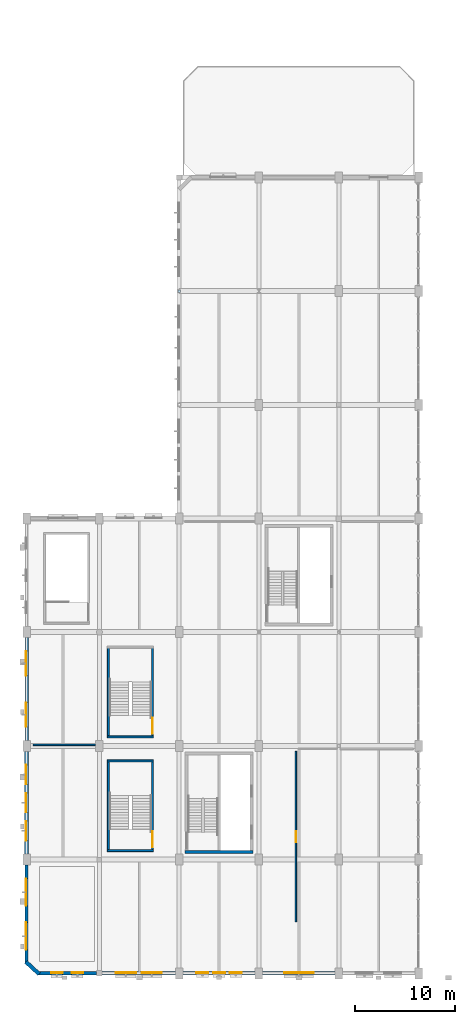
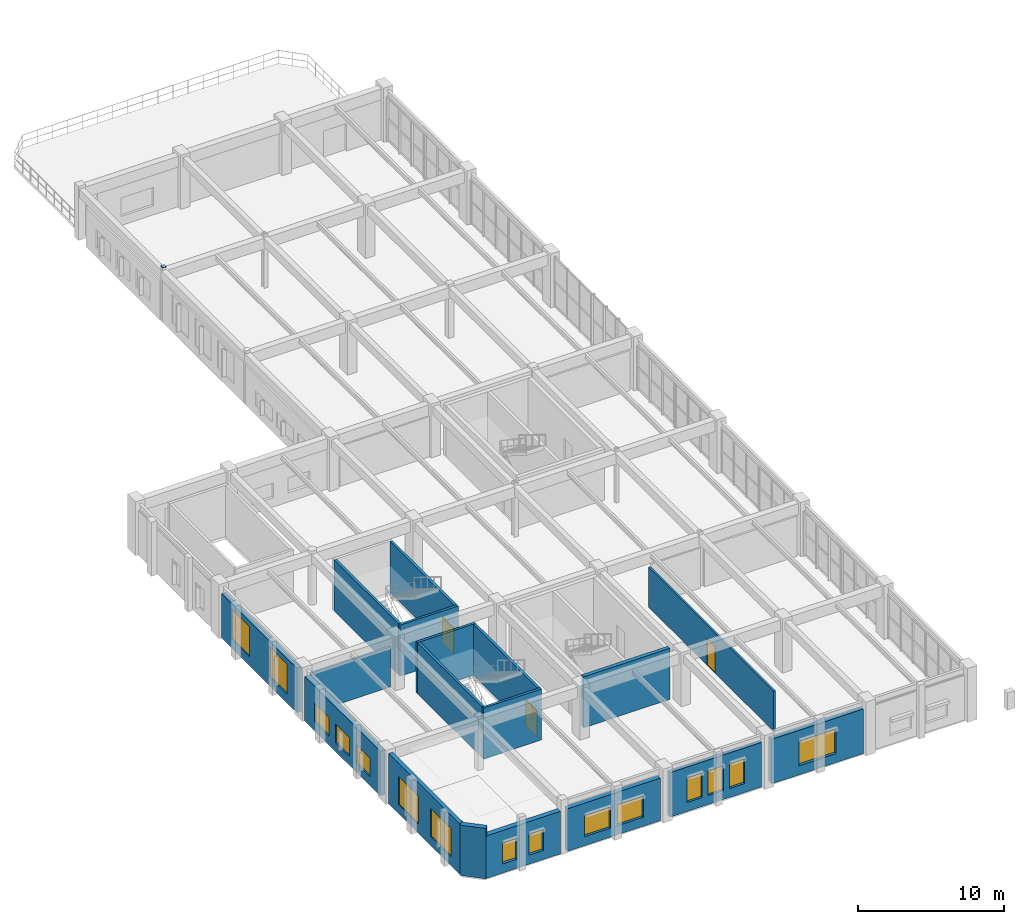
# One storey, part 64 of 80: 18 walls, 15 windows, 3 doors, 1 plate, 18 openings.
"""IFC4 building model written with IfcOpenShell, lengths in metres."""

from ifc_helpers import new_model, si_unit, direction, frame, frame_2d, origin, origin_2d, place, context, subcontext, project, spatial, rectangle, extrude, material, layer, layer_set, type_object, element, fill, save


model = new_model("IFC4")

# Units and contexts
model_context = context("Model", 3, precision=1e-05, world=origin(), true_north=direction((0.0, 1.0)))
body_context = subcontext(model_context, "Body", "Model", "MODEL_VIEW")
ifc_project = project(units=[si_unit("LENGTHUNIT", "METRE"), si_unit("AREAUNIT", "SQUARE_METRE"), si_unit("VOLUMEUNIT", "CUBIC_METRE"), si_unit("PLANEANGLEUNIT", "RADIAN"), si_unit("MASSUNIT", "GRAM", prefix="KILO"), si_unit("POWERUNIT", "WATT"), si_unit("THERMODYNAMICTEMPERATUREUNIT", "KELVIN")], contexts=[model_context])

# Site, building, storey
site_placement = place(None, origin())
site = spatial("IfcSite", under=ifc_project, at=site_placement, CompositionType="ELEMENT")
building_placement = place(site_placement, origin())
building = spatial("IfcBuilding", under=site, at=building_placement, Name="Kelmbourne Parkland Aquatics Centre", CompositionType="ELEMENT")
storey_placement = place(building_placement, frame((0.0, 0.0, 10.199951171875)))
storey = spatial("IfcBuildingStorey", under=building, at=storey_placement, Name="L02", CompositionType="ELEMENT", Elevation=10.199951171875)

# Plate
ifc_material_1 = material(Name="Welded plate steel AS/NZS 3678 Grade 350", Category="steel")
ifc_layer_1 = layer(ifc_material_1, 0.02001953125)
ifc_layer_set_1 = layer_set([ifc_layer_1], Name="Welded plate steel AS/NZS 3678 Grade 350")
plate_type = type_object("IfcPlateType", Name="PL-CAP-20", PredefinedType="USERDEFINED", material=ifc_layer_set_1)
plate_placement = place(storey_placement, frame((16.0, 69.199951171875, 4.4990234375), z_axis=(0.0, 0.0, 1.0), x_axis=(1.0, 0.0, 0.0)))
element("IfcPlate", 1, at=plate_placement, inside=storey, type_object=plate_type, Name="Hollow end cap plate CAP-0007", ObjectType="END CAP PLATE", PredefinedType="USERDEFINED", context=body_context, shape_type="SweptSolid", body=[
    extrude(rectangle(XDim=0.280029296875, YDim=0.280029296875, at=origin_2d()), origin(), (0.0, 0.0, 1.0), 0.02001953125),
])

# Wall
ifc_material_2 = material(Name="Concrete C40/50", Category="concrete")
ifc_layer_2 = layer(ifc_material_2, 0.300048828125)
ifc_layer_set_2 = layer_set([ifc_layer_2], Name="Concrete C40/50")
wall_type_1 = type_object("IfcWallType", Name="W-CORE-300", PredefinedType="SHEAR", material=ifc_layer_set_2)
wall_1_placement = place(storey_placement, frame((16.60009765625, 12.949951171875, 0.0), z_axis=(0.0, 0.0, 1.0), x_axis=(1.0, 0.0, 0.0)))
element("IfcWall", 2, at=wall_1_placement, inside=storey, type_object=wall_type_1, Name="West Wing South Fire-Fighting Core south wall (L02)", PredefinedType="SHEAR", context=body_context, shape_type="SweptSolid", body=[
    extrude(rectangle(XDim=6.7998046875, YDim=0.300048828125, at=frame_2d((3.39990234375, 0.0))), origin(), (0.0, 0.0, 1.0), 4.260009765625),
])

# Wall, openings, windows
ifc_material_3 = material(Name="Russet clinker clay brickwork", Category="masonry")
ifc_layer_3 = layer(ifc_material_3, 0.31005859375)
ifc_layer_set_3 = layer_set([ifc_layer_3], Name="Russet clinker clay brickwork")
wall_type_2 = type_object("IfcWallType", Name="W-EXT-310", PredefinedType="STANDARD", material=ifc_layer_set_3)
wall_2_placement = place(storey_placement, frame((0.699951171875, 1.800048828125, 0.0), z_axis=(0.0, 0.0, 1.0), x_axis=(0.0, 1.0, 0.0)))
wall_2 = element("IfcWall", 3, at=wall_2_placement, inside=storey, type_object=wall_type_2, Name="Exterior polychrome brick wall EW-L02-092", PredefinedType="STANDARD", context=body_context, shape_type="SweptSolid", body=[
    extrude(rectangle(XDim=9.847900390625, YDim=0.31005859375, at=frame_2d((4.923828125, 0.0))), origin(), (0.0, 0.0, 1.0), 4.199951171875),
])
opening_1_placement = place(wall_2_placement, frame((1.35009765625, 0.0, 0.75)))
opening_1 = element("IfcOpeningElement", 4, at=opening_1_placement, cuts=wall_2, Name="Opening W20", PredefinedType="OPENING", context=body_context, shape_type="SweptSolid", body=[
    extrude(rectangle(XDim=2.75, YDim=2.35009765625, at=frame_2d((1.375, 1.175048828125))), frame((0.0, 0.1669921875, 0.0), z_axis=(0.0, -1.0, 0.0), x_axis=(1.0, 0.0, 0.0)), (0.0, 0.0, 1.0), 0.333984375),
])
opening_2_placement = place(wall_2_placement, frame((5.748046875, 0.0, 0.75)))
opening_2 = element("IfcOpeningElement", 5, at=opening_2_placement, cuts=wall_2, Name="Opening W20", PredefinedType="OPENING", context=body_context, shape_type="SweptSolid", body=[
    extrude(rectangle(XDim=2.75, YDim=2.35009765625, at=frame_2d((1.375, 1.175048828125))), frame((0.0, 0.1669921875, 0.0), z_axis=(0.0, -1.0, 0.0), x_axis=(1.0, 0.0, 0.0)), (0.0, 0.0, 1.0), 0.333984375),
])
ifc_material_4 = material(Name="Thermally broken anodised aluminium window with low-e glass", Category="aluminium")
ifc_layer_4 = layer(ifc_material_4, 0.090087890625)
ifc_layer_set_4 = layer_set([ifc_layer_4], Name="Thermally broken anodised aluminium window with low-e glass")
window_type_1 = type_object("IfcWindowType", Name="WN-20", PartitioningType="TRIPLE_PANEL_VERTICAL", PredefinedType="WINDOW", material=ifc_layer_set_4)
window_1_placement = place(opening_1_placement, origin())
window_1 = element("IfcWindow", 6, at=window_1_placement, inside=storey, type_object=window_type_1, Name="Deep-reveal masonry window W20", OverallHeight=2.35009765625, OverallWidth=2.75, PartitioningType="TRIPLE_PANEL_VERTICAL", PredefinedType="WINDOW", context=body_context, shape_type="SweptSolid", body=[
    extrude(rectangle(XDim=2.75, YDim=2.35009765625, at=frame_2d((1.375, 1.175048828125))), frame((0.0, 0.080078125, 0.0), z_axis=(0.0, -1.0, 0.0), x_axis=(1.0, 0.0, 0.0)), (0.0, 0.0, 1.0), 0.06005859375),
])
fill(opening_1, window_1)
window_2_placement = place(opening_2_placement, origin())
window_2 = element("IfcWindow", 7, at=window_2_placement, inside=storey, type_object=window_type_1, Name="Deep-reveal masonry window W20", OverallHeight=2.35009765625, OverallWidth=2.75, PartitioningType="TRIPLE_PANEL_VERTICAL", PredefinedType="WINDOW", context=body_context, shape_type="SweptSolid", body=[
    extrude(rectangle(XDim=2.75, YDim=2.35009765625, at=frame_2d((1.375, 1.175048828125))), frame((0.0, 0.080078125, 0.0), z_axis=(0.0, -1.0, 0.0), x_axis=(1.0, 0.0, 0.0)), (0.0, 0.0, 1.0), 0.06005859375),
])
fill(opening_2, window_2)

wall_3_placement = place(storey_placement, frame((16.376953125, 0.800048828125, 0.0), z_axis=(0.0, 0.0, 1.0), x_axis=(1.0, 0.0, 0.0)))
wall_3 = element("IfcWall", 8, at=wall_3_placement, inside=storey, type_object=wall_type_2, Name="Exterior polychrome brick wall EW-L02-098", PredefinedType="STANDARD", context=body_context, shape_type="SweptSolid", body=[
    extrude(rectangle(XDim=7.24609375, YDim=0.31005859375, at=frame_2d((3.623046875, 0.0))), origin(), (0.0, 0.0, 1.0), 3.712158203125),
])
opening_3_placement = place(wall_3_placement, frame((1.35009765625, 0.0, 0.75)))
opening_3 = element("IfcOpeningElement", 9, at=opening_3_placement, cuts=wall_3, Name="Opening W08", PredefinedType="OPENING", context=body_context, shape_type="SweptSolid", body=[
    extrude(rectangle(XDim=1.199951171875, YDim=2.050048828125, at=frame_2d((0.60009765625, 1.02490234375))), frame((0.0, 0.1669921875, 0.0), z_axis=(0.0, -1.0, 0.0), x_axis=(1.0, 0.0, 0.0)), (0.0, 0.0, 1.0), 0.333984375),
])
opening_4_placement = place(wall_3_placement, frame((3.02294921875, 0.0, 0.75)))
opening_4 = element("IfcOpeningElement", 10, at=opening_4_placement, cuts=wall_3, Name="Opening W08", PredefinedType="OPENING", context=body_context, shape_type="SweptSolid", body=[
    extrude(rectangle(XDim=1.199951171875, YDim=2.050048828125, at=frame_2d((0.60009765625, 1.02490234375))), frame((0.0, 0.1669921875, 0.0), z_axis=(0.0, -1.0, 0.0), x_axis=(1.0, 0.0, 0.0)), (0.0, 0.0, 1.0), 0.333984375),
])
opening_5_placement = place(wall_3_placement, frame((4.696044921875, 0.0, 0.75)))
opening_5 = element("IfcOpeningElement", 11, at=opening_5_placement, cuts=wall_3, Name="Opening W08", PredefinedType="OPENING", context=body_context, shape_type="SweptSolid", body=[
    extrude(rectangle(XDim=1.199951171875, YDim=2.050048828125, at=frame_2d((0.60009765625, 1.02490234375))), frame((0.0, 0.1669921875, 0.0), z_axis=(0.0, -1.0, 0.0), x_axis=(1.0, 0.0, 0.0)), (0.0, 0.0, 1.0), 0.333984375),
])
ifc_layer_5 = layer(ifc_material_4, 0.090087890625)
ifc_layer_set_5 = layer_set([ifc_layer_5], Name="Thermally broken anodised aluminium window with low-e glass")
window_type_2 = type_object("IfcWindowType", Name="WN-08", PartitioningType="SINGLE_PANEL", PredefinedType="WINDOW", material=ifc_layer_set_5)
window_3_placement = place(opening_3_placement, origin())
window_3 = element("IfcWindow", 12, at=window_3_placement, inside=storey, type_object=window_type_2, Name="Deep-reveal masonry window W08", OverallHeight=2.050048828125, OverallWidth=1.199951171875, PartitioningType="SINGLE_PANEL", PredefinedType="WINDOW", context=body_context, shape_type="SweptSolid", body=[
    extrude(rectangle(XDim=1.199951171875, YDim=2.050048828125, at=frame_2d((0.60009765625, 1.02490234375))), frame((0.0, 0.080078125, 0.0), z_axis=(0.0, -1.0, 0.0), x_axis=(1.0, 0.0, 0.0)), (0.0, 0.0, 1.0), 0.06005859375),
])
fill(opening_3, window_3)
window_4_placement = place(opening_4_placement, origin())
window_4 = element("IfcWindow", 13, at=window_4_placement, inside=storey, type_object=window_type_2, Name="Deep-reveal masonry window W08", OverallHeight=2.050048828125, OverallWidth=1.199951171875, PartitioningType="SINGLE_PANEL", PredefinedType="WINDOW", context=body_context, shape_type="SweptSolid", body=[
    extrude(rectangle(XDim=1.199951171875, YDim=2.050048828125, at=frame_2d((0.60009765625, 1.02490234375))), frame((0.0, 0.080078125, 0.0), z_axis=(0.0, -1.0, 0.0), x_axis=(1.0, 0.0, 0.0)), (0.0, 0.0, 1.0), 0.06005859375),
])
fill(opening_4, window_4)
window_5_placement = place(opening_5_placement, origin())
window_5 = element("IfcWindow", 14, at=window_5_placement, inside=storey, type_object=window_type_2, Name="Deep-reveal masonry window W08", OverallHeight=2.050048828125, OverallWidth=1.199951171875, PartitioningType="SINGLE_PANEL", PredefinedType="WINDOW", context=body_context, shape_type="SweptSolid", body=[
    extrude(rectangle(XDim=1.199951171875, YDim=2.050048828125, at=frame_2d((0.60009765625, 1.02490234375))), frame((0.0, 0.080078125, 0.0), z_axis=(0.0, -1.0, 0.0), x_axis=(1.0, 0.0, 0.0)), (0.0, 0.0, 1.0), 0.06005859375),
])
fill(opening_5, window_5)

ifc_material_5 = material(Name="Polychrome glazed brick header coursework", Category="masonry")
ifc_layer_6 = layer(ifc_material_5, 0.35009765625)
ifc_layer_set_6 = layer_set([ifc_layer_6], Name="Polychrome glazed brick header coursework")
wall_type_3 = type_object("IfcWallType", Name="W-EXT-350", PredefinedType="STANDARD", material=ifc_layer_set_6)
wall_4_placement = place(storey_placement, frame((0.699951171875, 24.152099609375, 0.0), z_axis=(0.0, 0.0, 1.0), x_axis=(0.0, 1.0, 0.0)))
wall_4 = element("IfcWall", 15, at=wall_4_placement, inside=storey, type_object=wall_type_3, Name="Exterior polychrome brick wall EW-L02-094", PredefinedType="STANDARD", context=body_context, shape_type="SweptSolid", body=[
    extrude(rectangle(XDim=10.2958984375, YDim=0.35009765625, at=frame_2d((5.14794921875, 0.0))), origin(), (0.0, 0.0, 1.0), 3.712158203125),
])
opening_6_placement = place(wall_4_placement, frame((1.35009765625, 0.0, 0.75)))
opening_6 = element("IfcOpeningElement", 16, at=opening_6_placement, cuts=wall_4, Name="Opening W27", PredefinedType="OPENING", context=body_context, shape_type="SweptSolid", body=[
    extrude(rectangle(XDim=2.449951171875, YDim=2.5, at=frame_2d((1.22509765625, 1.25))), frame((0.0, 0.18701171875, 0.0), z_axis=(0.0, -1.0, 0.0), x_axis=(1.0, 0.0, 0.0)), (0.0, 0.0, 1.0), 0.3740234375),
])
opening_7_placement = place(wall_4_placement, frame((6.49609375, 0.0, 0.75)))
opening_7 = element("IfcOpeningElement", 17, at=opening_7_placement, cuts=wall_4, Name="Opening W27", PredefinedType="OPENING", context=body_context, shape_type="SweptSolid", body=[
    extrude(rectangle(XDim=2.449951171875, YDim=2.5, at=frame_2d((1.22509765625, 1.25))), frame((0.0, 0.18701171875, 0.0), z_axis=(0.0, -1.0, 0.0), x_axis=(1.0, 0.0, 0.0)), (0.0, 0.0, 1.0), 0.3740234375),
])
ifc_layer_7 = layer(ifc_material_4, 0.090087890625)
ifc_layer_set_7 = layer_set([ifc_layer_7], Name="Thermally broken anodised aluminium window with low-e glass")
window_type_3 = type_object("IfcWindowType", Name="WN-27", PartitioningType="TRIPLE_PANEL_VERTICAL", PredefinedType="WINDOW", material=ifc_layer_set_7)
window_6_placement = place(opening_6_placement, origin())
window_6 = element("IfcWindow", 18, at=window_6_placement, inside=storey, type_object=window_type_3, Name="Deep-reveal masonry window W27", OverallHeight=2.5, OverallWidth=2.449951171875, PartitioningType="TRIPLE_PANEL_VERTICAL", PredefinedType="WINDOW", context=body_context, shape_type="SweptSolid", body=[
    extrude(rectangle(XDim=2.449951171875, YDim=2.5, at=frame_2d((1.22509765625, 1.25))), frame((0.0, 0.080078125, 0.0), z_axis=(0.0, -1.0, 0.0), x_axis=(1.0, 0.0, 0.0)), (0.0, 0.0, 1.0), 0.06005859375),
])
fill(opening_6, window_6)
window_7_placement = place(opening_7_placement, origin())
window_7 = element("IfcWindow", 19, at=window_7_placement, inside=storey, type_object=window_type_3, Name="Deep-reveal masonry window W27", OverallHeight=2.5, OverallWidth=2.449951171875, PartitioningType="TRIPLE_PANEL_VERTICAL", PredefinedType="WINDOW", context=body_context, shape_type="SweptSolid", body=[
    extrude(rectangle(XDim=2.449951171875, YDim=2.5, at=frame_2d((1.22509765625, 1.25))), frame((0.0, 0.080078125, 0.0), z_axis=(0.0, -1.0, 0.0), x_axis=(1.0, 0.0, 0.0)), (0.0, 0.0, 1.0), 0.06005859375),
])
fill(opening_7, window_7)

wall_5_placement = place(storey_placement, frame((8.277099609375, 0.800048828125, 0.0), z_axis=(0.0, 0.0, 1.0), x_axis=(1.0, 0.0, 0.0)))
wall_5 = element("IfcWall", 20, at=wall_5_placement, inside=storey, type_object=wall_type_3, Name="Exterior polychrome brick wall EW-L02-097", PredefinedType="STANDARD", context=body_context, shape_type="SweptSolid", body=[
    extrude(rectangle(XDim=7.345947265625, YDim=0.35009765625, at=frame_2d((3.6728515625, 0.0))), origin(), (0.0, 0.0, 1.0), 3.545166015625),
])
opening_8_placement = place(wall_5_placement, frame((1.35009765625, 0.0, 0.75)))
opening_8 = element("IfcOpeningElement", 21, at=opening_8_placement, cuts=wall_5, Name="Opening W05", PredefinedType="OPENING", context=body_context, shape_type="SweptSolid", body=[
    extrude(rectangle(XDim=2.050048828125, YDim=1.75, at=frame_2d((1.02490234375, 0.875))), frame((0.0, 0.18701171875, 0.0), z_axis=(0.0, -1.0, 0.0), x_axis=(1.0, 0.0, 0.0)), (0.0, 0.0, 1.0), 0.3740234375),
])
opening_9_placement = place(wall_5_placement, frame((3.946044921875, 0.0, 0.75)))
opening_9 = element("IfcOpeningElement", 22, at=opening_9_placement, cuts=wall_5, Name="Opening W05", PredefinedType="OPENING", context=body_context, shape_type="SweptSolid", body=[
    extrude(rectangle(XDim=2.050048828125, YDim=1.75, at=frame_2d((1.02490234375, 0.875))), frame((0.0, 0.18701171875, 0.0), z_axis=(0.0, -1.0, 0.0), x_axis=(1.0, 0.0, 0.0)), (0.0, 0.0, 1.0), 0.3740234375),
])
ifc_layer_8 = layer(ifc_material_4, 0.090087890625)
ifc_layer_set_8 = layer_set([ifc_layer_8], Name="Thermally broken anodised aluminium window with low-e glass")
window_type_4 = type_object("IfcWindowType", Name="WN-05", PartitioningType="TRIPLE_PANEL_VERTICAL", PredefinedType="WINDOW", material=ifc_layer_set_8)
window_8_placement = place(opening_8_placement, origin())
window_8 = element("IfcWindow", 23, at=window_8_placement, inside=storey, type_object=window_type_4, Name="Deep-reveal masonry window W05", OverallHeight=1.75, OverallWidth=2.050048828125, PartitioningType="TRIPLE_PANEL_VERTICAL", PredefinedType="WINDOW", context=body_context, shape_type="SweptSolid", body=[
    extrude(rectangle(XDim=2.050048828125, YDim=1.75, at=frame_2d((1.02490234375, 0.875))), frame((0.0, 0.080078125, 0.0), z_axis=(0.0, -1.0, 0.0), x_axis=(1.0, 0.0, 0.0)), (0.0, 0.0, 1.0), 0.06005859375),
])
fill(opening_8, window_8)
window_9_placement = place(opening_9_placement, origin())
window_9 = element("IfcWindow", 24, at=window_9_placement, inside=storey, type_object=window_type_4, Name="Deep-reveal masonry window W05", OverallHeight=1.75, OverallWidth=2.050048828125, PartitioningType="TRIPLE_PANEL_VERTICAL", PredefinedType="WINDOW", context=body_context, shape_type="SweptSolid", body=[
    extrude(rectangle(XDim=2.050048828125, YDim=1.75, at=frame_2d((1.02490234375, 0.875))), frame((0.0, 0.080078125, 0.0), z_axis=(0.0, -1.0, 0.0), x_axis=(1.0, 0.0, 0.0)), (0.0, 0.0, 1.0), 0.06005859375),
])
fill(opening_9, window_9)

ifc_layer_9 = layer(ifc_material_3, 0.389892578125)
ifc_layer_set_9 = layer_set([ifc_layer_9], Name="Russet clinker clay brickwork")
wall_type_4 = type_object("IfcWallType", Name="W-EXT-390", PredefinedType="STANDARD", material=ifc_layer_set_9)
wall_6_placement = place(storey_placement, frame((0.699951171875, 12.751953125, 0.0), z_axis=(0.0, 0.0, 1.0), x_axis=(0.0, 1.0, 0.0)))
wall_6 = element("IfcWall", 25, at=wall_6_placement, inside=storey, type_object=wall_type_4, Name="Exterior polychrome brick wall EW-L02-093", PredefinedType="STANDARD", context=body_context, shape_type="SweptSolid", body=[
    extrude(rectangle(XDim=10.296142578125, YDim=0.389892578125, at=frame_2d((5.14794921875, 0.0))), origin(), (0.0, 0.0, 1.0), 3.712158203125),
])
opening_10_placement = place(wall_6_placement, frame((1.35009765625, 0.0, 0.75)))
opening_10 = element("IfcOpeningElement", 26, at=opening_10_placement, cuts=wall_6, Name="Opening W23", PredefinedType="OPENING", context=body_context, shape_type="SweptSolid", body=[
    extrude(rectangle(XDim=1.949951171875, YDim=1.550048828125, at=frame_2d((0.97509765625, 0.77490234375))), frame((0.0, 0.20703125, 0.0), z_axis=(0.0, -1.0, 0.0), x_axis=(1.0, 0.0, 0.0)), (0.0, 0.0, 1.0), 0.413818359375),
])
opening_11_placement = place(wall_6_placement, frame((4.173095703125, 0.0, 0.75)))
opening_11 = element("IfcOpeningElement", 27, at=opening_11_placement, cuts=wall_6, Name="Opening W23", PredefinedType="OPENING", context=body_context, shape_type="SweptSolid", body=[
    extrude(rectangle(XDim=1.949951171875, YDim=1.550048828125, at=frame_2d((0.97509765625, 0.77490234375))), frame((0.0, 0.20703125, 0.0), z_axis=(0.0, -1.0, 0.0), x_axis=(1.0, 0.0, 0.0)), (0.0, 0.0, 1.0), 0.413818359375),
])
opening_12_placement = place(wall_6_placement, frame((6.99609375, 0.0, 0.75)))
opening_12 = element("IfcOpeningElement", 28, at=opening_12_placement, cuts=wall_6, Name="Opening W23", PredefinedType="OPENING", context=body_context, shape_type="SweptSolid", body=[
    extrude(rectangle(XDim=1.949951171875, YDim=1.550048828125, at=frame_2d((0.97509765625, 0.77490234375))), frame((0.0, 0.20703125, 0.0), z_axis=(0.0, -1.0, 0.0), x_axis=(1.0, 0.0, 0.0)), (0.0, 0.0, 1.0), 0.413818359375),
])
ifc_layer_10 = layer(ifc_material_4, 0.090087890625)
ifc_layer_set_10 = layer_set([ifc_layer_10], Name="Thermally broken anodised aluminium window with low-e glass")
window_type_5 = type_object("IfcWindowType", Name="WN-23", PartitioningType="DOUBLE_PANEL_VERTICAL", PredefinedType="WINDOW", material=ifc_layer_set_10)
window_10_placement = place(opening_10_placement, origin())
window_10 = element("IfcWindow", 29, at=window_10_placement, inside=storey, type_object=window_type_5, Name="Deep-reveal masonry window W23", OverallHeight=1.550048828125, OverallWidth=1.949951171875, PartitioningType="DOUBLE_PANEL_VERTICAL", PredefinedType="WINDOW", context=body_context, shape_type="SweptSolid", body=[
    extrude(rectangle(XDim=1.949951171875, YDim=1.550048828125, at=frame_2d((0.97509765625, 0.77490234375))), frame((0.0, 0.080078125, 0.0), z_axis=(0.0, -1.0, 0.0), x_axis=(1.0, 0.0, 0.0)), (0.0, 0.0, 1.0), 0.06005859375),
])
fill(opening_10, window_10)
window_11_placement = place(opening_11_placement, origin())
window_11 = element("IfcWindow", 30, at=window_11_placement, inside=storey, type_object=window_type_5, Name="Deep-reveal masonry window W23", OverallHeight=1.550048828125, OverallWidth=1.949951171875, PartitioningType="DOUBLE_PANEL_VERTICAL", PredefinedType="WINDOW", context=body_context, shape_type="SweptSolid", body=[
    extrude(rectangle(XDim=1.949951171875, YDim=1.550048828125, at=frame_2d((0.97509765625, 0.77490234375))), frame((0.0, 0.080078125, 0.0), z_axis=(0.0, -1.0, 0.0), x_axis=(1.0, 0.0, 0.0)), (0.0, 0.0, 1.0), 0.06005859375),
])
fill(opening_11, window_11)
window_12_placement = place(opening_12_placement, origin())
window_12 = element("IfcWindow", 31, at=window_12_placement, inside=storey, type_object=window_type_5, Name="Deep-reveal masonry window W23", OverallHeight=1.550048828125, OverallWidth=1.949951171875, PartitioningType="DOUBLE_PANEL_VERTICAL", PredefinedType="WINDOW", context=body_context, shape_type="SweptSolid", body=[
    extrude(rectangle(XDim=1.949951171875, YDim=1.550048828125, at=frame_2d((0.97509765625, 0.77490234375))), frame((0.0, 0.080078125, 0.0), z_axis=(0.0, -1.0, 0.0), x_axis=(1.0, 0.0, 0.0)), (0.0, 0.0, 1.0), 0.06005859375),
])
fill(opening_12, window_12)

wall_7_placement = place(storey_placement, frame((1.800048828125, 0.800048828125, 0.0), z_axis=(0.0, 0.0, 1.0), x_axis=(1.0, 0.0, 0.0)))
wall_7 = element("IfcWall", 32, at=wall_7_placement, inside=storey, type_object=wall_type_4, Name="Exterior polychrome brick wall EW-L02-096", PredefinedType="STANDARD", context=body_context, shape_type="SweptSolid", body=[
    extrude(rectangle(XDim=5.9228515625, YDim=0.389892578125, at=frame_2d((2.96142578125, 0.0))), origin(), (0.0, 0.0, 1.0), 3.545166015625),
])
opening_13_placement = place(wall_7_placement, frame((1.35009765625, 0.0, 0.75)))
opening_13 = element("IfcOpeningElement", 33, at=opening_13_placement, cuts=wall_7, Name="Opening W02", PredefinedType="OPENING", context=body_context, shape_type="SweptSolid", body=[
    extrude(rectangle(XDim=1.14990234375, YDim=1.75, at=frame_2d((0.574951171875, 0.875))), frame((0.0, 0.20703125, 0.0), z_axis=(0.0, -1.0, 0.0), x_axis=(1.0, 0.0, 0.0)), (0.0, 0.0, 1.0), 0.413818359375),
])
opening_14_placement = place(wall_7_placement, frame((3.423095703125, 0.0, 0.75)))
opening_14 = element("IfcOpeningElement", 34, at=opening_14_placement, cuts=wall_7, Name="Opening W02", PredefinedType="OPENING", context=body_context, shape_type="SweptSolid", body=[
    extrude(rectangle(XDim=1.14990234375, YDim=1.75, at=frame_2d((0.574951171875, 0.875))), frame((0.0, 0.20703125, 0.0), z_axis=(0.0, -1.0, 0.0), x_axis=(1.0, 0.0, 0.0)), (0.0, 0.0, 1.0), 0.413818359375),
])
ifc_layer_11 = layer(ifc_material_4, 0.090087890625)
ifc_layer_set_11 = layer_set([ifc_layer_11], Name="Thermally broken anodised aluminium window with low-e glass")
window_type_6 = type_object("IfcWindowType", Name="WN-02", PartitioningType="SINGLE_PANEL", PredefinedType="WINDOW", material=ifc_layer_set_11)
window_13_placement = place(opening_13_placement, origin())
window_13 = element("IfcWindow", 35, at=window_13_placement, inside=storey, type_object=window_type_6, Name="Deep-reveal masonry window W02", OverallHeight=1.75, OverallWidth=1.14990234375, PartitioningType="SINGLE_PANEL", PredefinedType="WINDOW", context=body_context, shape_type="SweptSolid", body=[
    extrude(rectangle(XDim=1.14990234375, YDim=1.75, at=frame_2d((0.574951171875, 0.875))), frame((0.0, 0.080078125, 0.0), z_axis=(0.0, -1.0, 0.0), x_axis=(1.0, 0.0, 0.0)), (0.0, 0.0, 1.0), 0.06005859375),
])
fill(opening_13, window_13)
window_14_placement = place(opening_14_placement, origin())
window_14 = element("IfcWindow", 36, at=window_14_placement, inside=storey, type_object=window_type_6, Name="Deep-reveal masonry window W02", OverallHeight=1.75, OverallWidth=1.14990234375, PartitioningType="SINGLE_PANEL", PredefinedType="WINDOW", context=body_context, shape_type="SweptSolid", body=[
    extrude(rectangle(XDim=1.14990234375, YDim=1.75, at=frame_2d((0.574951171875, 0.875))), frame((0.0, 0.080078125, 0.0), z_axis=(0.0, -1.0, 0.0), x_axis=(1.0, 0.0, 0.0)), (0.0, 0.0, 1.0), 0.06005859375),
])
fill(opening_14, window_14)

# Wall, opening, window
wall_8_placement = place(storey_placement, frame((24.376953125, 0.800048828125, 0.0), z_axis=(0.0, 0.0, 1.0), x_axis=(1.0, 0.0, 0.0)))
wall_8 = element("IfcWall", 37, at=wall_8_placement, inside=storey, type_object=wall_type_4, Name="Exterior polychrome brick wall EW-L02-099", PredefinedType="STANDARD", context=body_context, shape_type="SweptSolid", body=[
    extrude(rectangle(XDim=7.24609375, YDim=0.389892578125, at=frame_2d((3.623046875, 0.0))), origin(), (0.0, 0.0, 1.0), 3.712158203125),
])
opening_15_placement = place(wall_8_placement, frame((2.14794921875, 0.0, 0.75)))
opening_15 = element("IfcOpeningElement", 38, at=opening_15_placement, cuts=wall_8, Name="Opening W12", PredefinedType="OPENING", context=body_context, shape_type="SweptSolid", body=[
    extrude(rectangle(XDim=2.949951171875, YDim=2.050048828125, at=frame_2d((1.47509765625, 1.02490234375))), frame((0.0, 0.20703125, 0.0), z_axis=(0.0, -1.0, 0.0), x_axis=(1.0, 0.0, 0.0)), (0.0, 0.0, 1.0), 0.413818359375),
])
ifc_layer_12 = layer(ifc_material_4, 0.090087890625)
ifc_layer_set_12 = layer_set([ifc_layer_12], Name="Thermally broken anodised aluminium window with low-e glass")
window_type_7 = type_object("IfcWindowType", Name="WN-12", PartitioningType="TRIPLE_PANEL_VERTICAL", PredefinedType="WINDOW", material=ifc_layer_set_12)
window_15_placement = place(opening_15_placement, origin())
window_15 = element("IfcWindow", 39, at=window_15_placement, inside=storey, type_object=window_type_7, Name="Deep-reveal masonry window W12", OverallHeight=2.050048828125, OverallWidth=2.949951171875, PartitioningType="TRIPLE_PANEL_VERTICAL", PredefinedType="WINDOW", context=body_context, shape_type="SweptSolid", body=[
    extrude(rectangle(XDim=2.949951171875, YDim=2.050048828125, at=frame_2d((1.47509765625, 1.02490234375))), frame((0.0, 0.080078125, 0.0), z_axis=(0.0, -1.0, 0.0), x_axis=(1.0, 0.0, 0.0)), (0.0, 0.0, 1.0), 0.06005859375),
])
fill(opening_15, window_15)

# Walls
wall_9_placement = place(storey_placement, frame((0.6201171875, 1.949951171875, 0.0), z_axis=(0.0, 0.0, 1.0), x_axis=(0.734131351327, -0.679007480812, 0.0)))
element("IfcWall", 40, at=wall_9_placement, inside=storey, type_object=wall_type_4, Name="Stepped brick corner bevel CHAM-L02-SW", PredefinedType="STANDARD", context=body_context, shape_type="SweptSolid", body=[
    extrude(rectangle(XDim=1.8115234375, YDim=0.389892578125, at=frame_2d((0.90576171875, 0.0))), origin(), (0.0, 0.0, 1.0), 4.199951171875),
])
ifc_material_6 = material(Name="Concrete blockwork C32/40", Category="masonry")
ifc_layer_13 = layer(ifc_material_6, 0.199951171875)
ifc_layer_set_13 = layer_set([ifc_layer_13], Name="Concrete blockwork C32/40")
wall_type_5 = type_object("IfcWallType", Name="W-FIRE-200", PredefinedType="SOLIDWALL", material=ifc_layer_set_13)
for number, where, z_axis, x_axis, name in (
    (41, (8.800048828125, 13.10009765625, 0.0), (0.0, 0.0, 1.0), (1.0, 0.0, 0.0), "West South Perimeter Exit Stair south enclosure (L02)"),
    (42, (8.800048828125, 22.10009765625, 0.0), (0.0, 0.0, 1.0), (1.0, 0.0, 0.0), "West South Perimeter Exit Stair north enclosure (L02)"),
):
    element("IfcWall", number, at=place(storey_placement, frame(where, z_axis=z_axis, x_axis=x_axis)), inside=storey, type_object=wall_type_5, Name=name, PredefinedType="SOLIDWALL", context=body_context, shape_type="SweptSolid", body=[
        extrude(rectangle(XDim=4.599853515625, YDim=0.199951171875, at=frame_2d((2.2998046875, 0.0))), origin(), (0.0, 0.0, 1.0), 4.260009765625),
    ])
wall_10_placement = place(storey_placement, frame((8.89990234375, 13.199951171875, 0.0), z_axis=(0.0, 0.0, 1.0), x_axis=(0.0, 1.0, 0.0)))
element("IfcWall", 43, at=wall_10_placement, inside=storey, type_object=wall_type_5, Name="West South Perimeter Exit Stair west enclosure (L02)", PredefinedType="SOLIDWALL", context=body_context, shape_type="SweptSolid", body=[
    extrude(rectangle(XDim=8.800048828125, YDim=0.199951171875, at=frame_2d((4.39990234375, 0.0))), origin(), (0.0, 0.0, 1.0), 4.260009765625),
])

# Wall, opening, door
wall_11_placement = place(storey_placement, frame((13.300048828125, 13.199951171875, 0.0), z_axis=(0.0, 0.0, 1.0), x_axis=(0.0, 1.0, 0.0)))
wall_11 = element("IfcWall", 44, at=wall_11_placement, inside=storey, type_object=wall_type_5, Name="West South Perimeter Exit Stair east enclosure (L02)", PredefinedType="SOLIDWALL", context=body_context, shape_type="SweptSolid", body=[
    extrude(rectangle(XDim=8.800048828125, YDim=0.199951171875, at=frame_2d((4.39990234375, 0.0))), origin(), (0.0, 0.0, 1.0), 4.260009765625),
])
opening_16_placement = place(wall_11_placement, frame((0.219970703125, 0.0, 0.0)))
opening_16 = element("IfcOpeningElement", 45, at=opening_16_placement, cuts=wall_11, Name="Opening FD02", PredefinedType="OPENING", context=body_context, shape_type="SweptSolid", body=[
    extrude(rectangle(XDim=1.60009765625, YDim=2.199951171875, at=frame_2d((0.800048828125, 1.10009765625))), frame((0.0, 0.11181640625, 0.0), z_axis=(0.0, -1.0, 0.0), x_axis=(1.0, 0.0, 0.0)), (0.0, 0.0, 1.0), 0.223876953125),
])
ifc_material_7 = material(Name="Marine-grade stainless steel and fire-rated hardwood doorset", Category="steel")
ifc_layer_14 = layer(ifc_material_7, 0.050048828125)
ifc_layer_set_14 = layer_set([ifc_layer_14], Name="Marine-grade stainless steel and fire-rated hardwood doorset")
door_type_1 = type_object("IfcDoorType", Name="DR-FD-160", OperationType="NOTDEFINED", PredefinedType="DOOR", material=ifc_layer_set_14)
door_1_placement = place(opening_16_placement, frame((1.60009765625, 0.0, 0.0), z_axis=(0.0, 0.0, 1.0), x_axis=(-1.0, 0.0, 0.0)))
door_1 = element("IfcDoor", 46, at=door_1_placement, inside=storey, type_object=door_type_1, Name="Exit stair fire door ST06 (L02)", OperationType="DOUBLE_DOOR_SINGLE_SWING", OverallHeight=2.199951171875, OverallWidth=1.60009765625, PredefinedType="DOOR", context=body_context, shape_type="SweptSolid", body=[
    extrude(rectangle(XDim=1.60009765625, YDim=2.199951171875, at=frame_2d((0.800048828125, 1.10009765625))), frame((0.0, 0.02490234375, 0.0), z_axis=(0.0, -1.0, 0.0), x_axis=(1.0, 0.0, 0.0)), (0.0, 0.0, 1.0), 0.050048828125),
])
fill(opening_16, door_1)

# Walls
wall_12_placement = place(storey_placement, frame((8.800048828125, 24.5, 0.0), z_axis=(0.0, 0.0, 1.0), x_axis=(1.0, 0.0, 0.0)))
element("IfcWall", 47, at=wall_12_placement, inside=storey, type_object=wall_type_5, Name="West Central Park Exit Stair south enclosure (L02)", PredefinedType="SOLIDWALL", context=body_context, shape_type="SweptSolid", body=[
    extrude(rectangle(XDim=4.599853515625, YDim=0.199951171875, at=frame_2d((2.2998046875, 0.0))), origin(), (0.0, 0.0, 1.0), 4.260009765625),
])
wall_13_placement = place(storey_placement, frame((8.89990234375, 24.60009765625, 0.0), z_axis=(0.0, 0.0, 1.0), x_axis=(0.0, 1.0, 0.0)))
element("IfcWall", 48, at=wall_13_placement, inside=storey, type_object=wall_type_5, Name="West Central Park Exit Stair west enclosure (L02)", PredefinedType="SOLIDWALL", context=body_context, shape_type="SweptSolid", body=[
    extrude(rectangle(XDim=8.7998046875, YDim=0.199951171875, at=frame_2d((4.39990234375, 0.0))), origin(), (0.0, 0.0, 1.0), 4.260009765625),
])

# Wall, opening, door
wall_14_placement = place(storey_placement, frame((13.300048828125, 24.60009765625, 0.0), z_axis=(0.0, 0.0, 1.0), x_axis=(0.0, 1.0, 0.0)))
wall_14 = element("IfcWall", 49, at=wall_14_placement, inside=storey, type_object=wall_type_5, Name="West Central Park Exit Stair east enclosure (L02)", PredefinedType="SOLIDWALL", context=body_context, shape_type="SweptSolid", body=[
    extrude(rectangle(XDim=8.7998046875, YDim=0.199951171875, at=frame_2d((4.39990234375, 0.0))), origin(), (0.0, 0.0, 1.0), 4.260009765625),
])
opening_17_placement = place(wall_14_placement, frame((0.219970703125, 0.0, 0.0)))
opening_17 = element("IfcOpeningElement", 50, at=opening_17_placement, cuts=wall_14, Name="Opening FD02", PredefinedType="OPENING", context=body_context, shape_type="SweptSolid", body=[
    extrude(rectangle(XDim=1.60009765625, YDim=2.199951171875, at=frame_2d((0.800048828125, 1.10009765625))), frame((0.0, 0.11181640625, 0.0), z_axis=(0.0, -1.0, 0.0), x_axis=(1.0, 0.0, 0.0)), (0.0, 0.0, 1.0), 0.223876953125),
])
door_2_placement = place(opening_17_placement, frame((1.60009765625, 0.0, 0.0), z_axis=(0.0, 0.0, 1.0), x_axis=(-1.0, 0.0, 0.0)))
door_2 = element("IfcDoor", 51, at=door_2_placement, inside=storey, type_object=door_type_1, Name="Exit stair fire door ST07 (L02)", OperationType="DOUBLE_DOOR_SINGLE_SWING", OverallHeight=2.199951171875, OverallWidth=1.60009765625, PredefinedType="DOOR", context=body_context, shape_type="SweptSolid", body=[
    extrude(rectangle(XDim=1.60009765625, YDim=2.199951171875, at=frame_2d((0.800048828125, 1.10009765625))), frame((0.0, 0.02490234375, 0.0), z_axis=(0.0, -1.0, 0.0), x_axis=(1.0, 0.0, 0.0)), (0.0, 0.0, 1.0), 0.050048828125),
])
fill(opening_17, door_2)

ifc_material_8 = material(Name="Moisture-resistant acoustic stud partition", Category="gypsum")
ifc_layer_15 = layer(ifc_material_8, 0.14990234375)
ifc_layer_set_15 = layer_set([ifc_layer_15], Name="Moisture-resistant acoustic stud partition")
wall_type_6 = type_object("IfcWallType", Name="W-PART-150", PredefinedType="PARTITIONING", material=ifc_layer_set_15)
wall_15_placement = place(storey_placement, frame((27.699951171875, 5.949951171875, 0.0), z_axis=(0.0, 0.0, 1.0), x_axis=(0.0, 1.0, 0.0)))
wall_15 = element("IfcWall", 52, at=wall_15_placement, inside=storey, type_object=wall_type_6, Name="Interior partition PT-L02-079", PredefinedType="PARTITIONING", context=body_context, shape_type="SweptSolid", body=[
    extrude(rectangle(XDim=17.10009765625, YDim=0.14990234375, at=frame_2d((8.550048828125, 0.0))), origin(), (0.0, 0.0, 1.0), 3.344970703125),
])
opening_18_placement = place(wall_15_placement, frame((8.0, 0.0, 0.0)))
opening_18 = element("IfcOpeningElement", 53, at=opening_18_placement, cuts=wall_15, Name="Opening FD03", PredefinedType="OPENING", context=body_context, shape_type="SweptSolid", body=[
    extrude(rectangle(XDim=1.10009765625, YDim=2.199951171875, at=frame_2d((0.550048828125, 1.10009765625))), frame((0.0, 0.0869140625, 0.0), z_axis=(0.0, -1.0, 0.0), x_axis=(1.0, 0.0, 0.0)), (0.0, 0.0, 1.0), 0.173828125),
])
ifc_layer_16 = layer(ifc_material_7, 0.050048828125)
ifc_layer_set_16 = layer_set([ifc_layer_16], Name="Marine-grade stainless steel and fire-rated hardwood doorset")
door_type_2 = type_object("IfcDoorType", Name="DR-FD-110", OperationType="NOTDEFINED", PredefinedType="DOOR", material=ifc_layer_set_16)
door_3_placement = place(opening_18_placement, origin())
door_3 = element("IfcDoor", 54, at=door_3_placement, inside=storey, type_object=door_type_2, Name="Interior door FD03 (L02-045)", OperationType="SINGLE_SWING_LEFT", OverallHeight=2.199951171875, OverallWidth=1.10009765625, PredefinedType="DOOR", context=body_context, shape_type="SweptSolid", body=[
    extrude(rectangle(XDim=1.10009765625, YDim=2.199951171875, at=frame_2d((0.550048828125, 1.10009765625))), frame((0.0, 0.02490234375, 0.0), z_axis=(0.0, -1.0, 0.0), x_axis=(1.0, 0.0, 0.0)), (0.0, 0.0, 1.0), 0.050048828125),
])
fill(opening_18, door_3)

# Wall
wall_16_placement = place(storey_placement, frame((1.35009765625, 23.699951171875, 0.0), z_axis=(0.0, 0.0, 1.0), x_axis=(1.0, 0.0, 0.0)))
element("IfcWall", 55, at=wall_16_placement, inside=storey, type_object=wall_type_6, Name="Interior partition PT-L02-080", PredefinedType="PARTITIONING", context=body_context, shape_type="SweptSolid", body=[
    extrude(rectangle(XDim=6.27294921875, YDim=0.14990234375, at=frame_2d((3.136474609375, 0.0))), origin(), (0.0, 0.0, 1.0), 3.344970703125),
])

save(model, "model.ifc")
